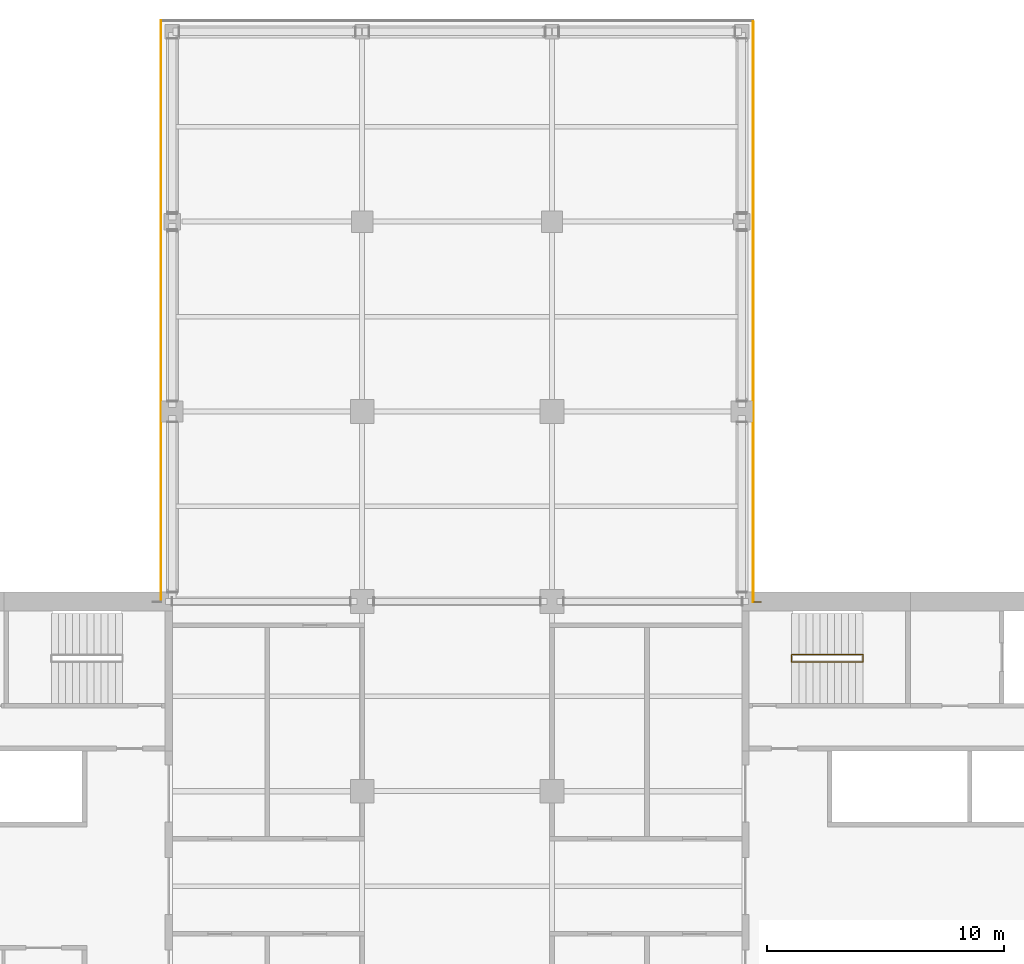
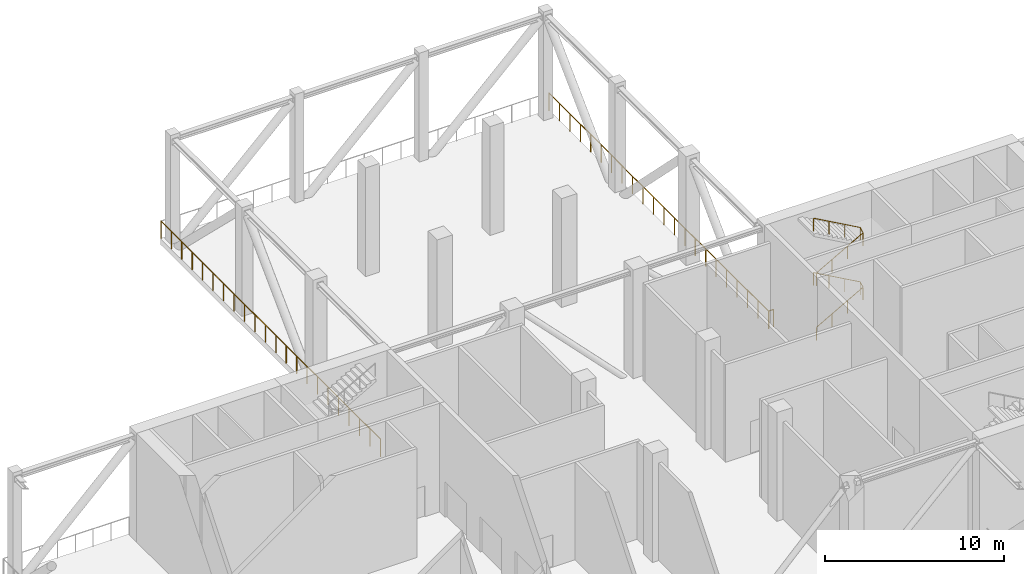
# One storey, part 17 of 18: 4 railings.
"""IFC4 building model written with IfcOpenShell, lengths in metres."""

import ifcopenshell
import ifcopenshell.guid

model = None  # the IFC model being written
_history = None  # IfcOwnerHistory: only IFC2X3 demands one
_inside = {}  # id of a spatial element -> (the spatial element, [elements in it])
_under = {}  # id of a project, library or spatial element -> (it, [spatial elements below it])
_declared = {}  # id of a project -> (the project, [libraries it declares])
_typed = {}  # id of a type object -> (the type object, [elements of that type])
_made_of = {}  # id of a material, layer set ... -> (it, [elements and type objects made of it])


def new_model(schema):
    """Start an empty IFC model of exactly this schema.

    Asked for "IFC4X3", IfcOpenShell would pick the latest addendum, in which some entities
    have other attributes; the version numbers below select the first issue.
    IFC2X3 requires an IfcOwnerHistory on every rooted entity: one is made here for all.
    """
    global model, _history
    if schema == "IFC4X3":
        model = ifcopenshell.file(schema_version=(4, 3, 0, 0))
    else:
        model = ifcopenshell.file(schema=schema)
    _inside.clear()
    _under.clear()
    _declared.clear()
    _typed.clear()
    _made_of.clear()
    _history = None
    if model.schema == "IFC2X3":
        org = make("IfcOrganization", Name="unknown")
        user = make(
            "IfcPersonAndOrganization",
            ThePerson=make("IfcPerson", FamilyName="unknown"),
            TheOrganization=org,
        )
        app = make(
            "IfcApplication",
            ApplicationDeveloper=org,
            Version="unknown",
            ApplicationFullName="unknown",
            ApplicationIdentifier="unknown",
        )
        _history = make(
            "IfcOwnerHistory",
            OwningUser=user,
            OwningApplication=app,
            ChangeAction="ADDED",
            CreationDate=0,
        )
    return model


def make(cls, **values):
    """One entity of the class cls with the attributes given. An attribute that is None is left unset."""
    return model.create_entity(
        cls, **{name: value for name, value in values.items() if value is not None}
    )


def rooted(cls, **values):
    """An entity with a GlobalId (a new one), such as an element, a storey or a relation."""
    return make(cls, GlobalId=ifcopenshell.guid.new(), OwnerHistory=_history, **values)


def si_unit(unit_type, name, prefix=None):
    """IfcSIUnit, for example si_unit("LENGTHUNIT", "METRE", prefix="MILLI")."""
    return make("IfcSIUnit", UnitType=unit_type, Prefix=prefix, Name=name)


def assignment(units):
    """IfcUnitAssignment: the units of a project."""
    return None if units is None else make("IfcUnitAssignment", Units=units)


def point(xyz):
    """IfcCartesianPoint."""
    return None if xyz is None else make("IfcCartesianPoint", Coordinates=xyz)


def direction(xyz):
    """IfcDirection."""
    return None if xyz is None else make("IfcDirection", DirectionRatios=xyz)


def frame(location, z_axis=None, x_axis=None):
    """IfcAxis2Placement3D, a coordinate frame: its origin and axes. An axis left out is left unset."""
    return make(
        "IfcAxis2Placement3D",
        Location=point(location),
        Axis=direction(z_axis),
        RefDirection=direction(x_axis),
    )


def frame_2d(location, x_axis=None):
    """IfcAxis2Placement2D, a coordinate frame in the plane: its origin and x axis."""
    return make(
        "IfcAxis2Placement2D", Location=point(location), RefDirection=direction(x_axis)
    )


def origin():
    """The frame at (0, 0, 0) with its axes left unset."""
    return frame((0.0, 0.0, 0.0))


def origin_2d():
    """The frame at (0, 0) in the plane with its x axis left unset."""
    return frame_2d((0.0, 0.0))


def place(relative_to, where):
    """IfcLocalPlacement: puts the frame where relative to a parent placement (None: the world)."""
    return make(
        "IfcLocalPlacement", PlacementRelTo=relative_to, RelativePlacement=where
    )


def context(
    kind, dimensions, precision=None, world=None, true_north=None, identifier=None
):
    """IfcGeometricRepresentationContext, for example the 3D "Model" context."""
    return make(
        "IfcGeometricRepresentationContext",
        ContextIdentifier=identifier,
        ContextType=kind,
        CoordinateSpaceDimension=dimensions,
        Precision=precision,
        WorldCoordinateSystem=world,
        TrueNorth=true_north,
    )


def subcontext(parent, identifier, kind, view, scale=None):
    """IfcGeometricRepresentationSubContext, for example "Body" below "Model"."""
    return make(
        "IfcGeometricRepresentationSubContext",
        ContextIdentifier=identifier,
        ContextType=kind,
        ParentContext=parent,
        TargetScale=scale,
        TargetView=view,
    )


def project(units=None, contexts=None):
    """IfcProject with its units and contexts."""
    return rooted(
        "IfcProject",
        Name="project",
        RepresentationContexts=contexts,
        UnitsInContext=assignment(units),
    )


def spatial(cls, under=None, at=None, **own):
    """A site, building, storey or space (cls), placed at a placement, below another one or the project."""
    s = rooted(cls, ObjectPlacement=at, **own)
    if under is not None:
        _under.setdefault(under.id(), (under, []))[1].append(s)
    return s


def profile(cls, at=None, kind="AREA", **sizes):
    """A parametric profile (cls). Its sizes go by their IFC names, for example OverallWidth=200.0."""
    return make(cls, ProfileType=kind, Position=at, **sizes)


def circle(**sizes):
    """IfcCircleProfileDef."""
    return profile("IfcCircleProfileDef", **sizes)


def extrude(swept, where, along, depth):
    """IfcExtrudedAreaSolid: the profile swept, set in the frame where, extruded along a direction by depth."""
    return make(
        "IfcExtrudedAreaSolid",
        SweptArea=swept,
        Position=where,
        ExtrudedDirection=direction(along),
        Depth=depth,
    )


def shape(context_of_items, identifier, shape_type, items):
    """IfcShapeRepresentation: the items that make up one representation, for example the "Body"."""
    return make(
        "IfcShapeRepresentation",
        ContextOfItems=context_of_items,
        RepresentationIdentifier=identifier,
        RepresentationType=shape_type,
        Items=items,
    )


def material(Name=None, Category=None):
    """IfcMaterial."""
    return make("IfcMaterial", Name=Name, Category=Category)


def made_of(thing, what):
    """Note that an element or type object is made of a material, layer set ...; save() writes the relation."""
    if what is not None:
        _made_of.setdefault(what.id(), (what, []))[1].append(thing)
    return thing


def type_object(cls, material=None, **own):
    """A type object (cls), such as IfcWallType, which elements share."""
    return made_of(rooted(cls, **own), material)


def element(
    cls,
    number,
    at=None,
    inside=None,
    cuts=None,
    type_object=None,
    material=None,
    context=None,
    identifier="Body",
    shape_type=None,
    held_by="IfcProductDefinitionShape",
    body=None,
    shapes=None,
    **own,
):
    """One element of the class cls, such as IfcWall. Its Tag is "e" and its number.

    at: its placement. inside: the storey or other place that contains it. cuts: it is an
    opening in that element (IfcRelVoidsElement). A single representation is given by context,
    identifier, shape_type and body (its items); several are given by shapes. held_by: the class
    of the entity that holds the representations. save() writes the other relations.
    """
    e = rooted(cls, Tag="e%d" % number, ObjectPlacement=at, **own)
    if body is not None:
        shapes = [shape(context, identifier, shape_type, body)]
    if shapes is not None:
        e.Representation = make(held_by, Representations=shapes)
    if inside is not None:
        _inside.setdefault(inside.id(), (inside, []))[1].append(e)
    if cuts is not None:
        rooted(
            "IfcRelVoidsElement", RelatingBuildingElement=cuts, RelatedOpeningElement=e
        )
    if type_object is not None:
        _typed.setdefault(type_object.id(), (type_object, []))[1].append(e)
    return made_of(e, material)


def aggregate(whole, parts):
    """IfcRelAggregates: a whole, such as a stair, and the parts it consists of."""
    return rooted("IfcRelAggregates", RelatingObject=whole, RelatedObjects=parts)


def save(model, path):
    """Write the relations noted so far, then the file.

    IfcRelAggregates (storeys below a building ...), IfcRelContainedInSpatialStructure (elements
    in a storey), IfcRelDefinesByType, IfcRelAssociatesMaterial and IfcRelDeclares: one each for
    every whole, place, type object, material and project.
    """
    for whole, parts in _under.values():
        aggregate(whole, parts)
    for where, things in _inside.values():
        rooted(
            "IfcRelContainedInSpatialStructure",
            RelatedElements=things,
            RelatingStructure=where,
        )
    for kind, things in _typed.values():
        rooted("IfcRelDefinesByType", RelatedObjects=things, RelatingType=kind)
    for what, things in _made_of.values():
        rooted("IfcRelAssociatesMaterial", RelatedObjects=things, RelatingMaterial=what)
    for by, libraries in _declared.values():
        rooted("IfcRelDeclares", RelatingContext=by, RelatedDefinitions=libraries)
    model.write(path)


model = new_model("IFC4")

# Units and contexts
model_context = context("Model", 3, precision=1e-05, world=origin(), true_north=direction((0.0, 1.0)))
body_context = subcontext(model_context, "Body", "Model", "MODEL_VIEW")
ifc_project = project(units=[si_unit("LENGTHUNIT", "METRE"), si_unit("AREAUNIT", "SQUARE_METRE"), si_unit("VOLUMEUNIT", "CUBIC_METRE"), si_unit("PLANEANGLEUNIT", "RADIAN"), si_unit("MASSUNIT", "GRAM", prefix="KILO")], contexts=[model_context])

# Site, building, storey
site_placement = place(None, origin())
site = spatial("IfcSite", under=ifc_project, at=site_placement, CompositionType="ELEMENT")
building_placement = place(site_placement, origin())
building = spatial("IfcBuilding", under=site, at=building_placement, Name="Crosswind Convention Tower", CompositionType="ELEMENT")
storey_placement = place(building_placement, frame((0.0, 0.0, 105.300048828125)))
storey = spatial("IfcBuildingStorey", under=building, at=storey_placement, Name="L21", CompositionType="ELEMENT", Elevation=105.300048828125)

# Railings
ifc_material_1 = material(Name="Stainless steel", Category="steel")
railing_type_1 = type_object("IfcRailingType", Name="Stair handrail 900", PredefinedType="HANDRAIL", material=ifc_material_1)
railing_1_placement = place(storey_placement, frame((139.10009765625, 109.43994140625, 0.168212890625)))
element("IfcRailing", 1, at=railing_1_placement, inside=storey, type_object=railing_type_1, Name="Stair ST1 handrail L21", PredefinedType="HANDRAIL", context=body_context, shape_type="SweptSolid", body=[
    extrude(circle(Radius=0.02392578125, at=origin_2d()), frame((0.0, 0.0, 0.8759765625), z_axis=(0.872302573547, 0.0, 0.488966481656), x_axis=(0.0, 1.0, 0.0)), (0.0, 0.0, 1.0), 3.439208984375),
    extrude(circle(Radius=0.02392578125, at=origin_2d()), frame((3.0, 0.0, 2.5576171875), z_axis=(0.0, 0.885196349292, 0.465217608438), x_axis=(-1.0, 0.0, 0.0)), (0.0, 0.0, 1.0), 0.361572265625),
    extrude(circle(Radius=0.02392578125, at=origin_2d()), frame((3.0, 0.320068359375, 2.7255859375), z_axis=(-0.872272294576, 0.0, 0.489020494575), x_axis=(0.0, -1.0, 0.0)), (0.0, 0.0, 1.0), 3.439208984375),
    extrude(circle(Radius=0.02392578125, at=origin_2d()), frame((0.0, 0.320068359375, 4.40771484375), z_axis=(0.0, -0.885196349292, 0.465217608438), x_axis=(1.0, 0.0, 0.0)), (0.0, 0.0, 1.0), 0.361572265625),
    extrude(circle(Radius=0.02392578125, at=origin_2d()), frame((0.0, 0.0, 4.57568359375), z_axis=(0.872272294576, 0.0, 0.489020494575), x_axis=(0.0, 1.0, 0.0)), (0.0, 0.0, 1.0), 3.439208984375),
    extrude(circle(Radius=0.02392578125, at=origin_2d()), frame((3.0, 0.0, 6.2578125), z_axis=(0.0, 0.885474334664, 0.464688285468), x_axis=(-1.0, 0.0, 0.0)), (0.0, 0.0, 1.0), 0.361572265625),
    extrude(circle(Radius=0.02392578125, at=origin_2d()), frame((3.0, 0.320068359375, 6.42578125), z_axis=(-0.872272294576, 0.0, 0.489020494575), x_axis=(0.0, -1.0, 0.0)), (0.0, 0.0, 1.0), 3.439208984375),
    extrude(circle(Radius=0.02099609375, at=origin_2d()), origin(), (0.0, 0.0, 1.0), 0.851806640625),
    extrude(circle(Radius=0.02099609375, at=origin_2d()), frame((1.0, 0.0, 0.560546875)), (0.0, 0.0, 1.0), 0.851806640625),
    extrude(circle(Radius=0.02099609375, at=origin_2d()), frame((2.0, 0.0, 1.12109375)), (0.0, 0.0, 1.0), 0.851806640625),
    extrude(circle(Radius=0.02099609375, at=origin_2d()), frame((3.0, 0.0, 1.681640625)), (0.0, 0.0, 1.0), 0.851806640625),
    extrude(circle(Radius=0.02099609375, at=origin_2d()), frame((3.0, 0.320068359375, 1.849853515625)), (0.0, 0.0, 1.0), 0.851806640625),
    extrude(circle(Radius=0.02099609375, at=origin_2d()), frame((2.0, 0.320068359375, 2.410400390625)), (0.0, 0.0, 1.0), 0.851806640625),
    extrude(circle(Radius=0.02099609375, at=origin_2d()), frame((1.0, 0.320068359375, 2.97119140625)), (0.0, 0.0, 1.0), 0.851806640625),
    extrude(circle(Radius=0.02099609375, at=origin_2d()), frame((0.0, 0.320068359375, 3.53173828125)), (0.0, 0.0, 1.0), 0.851806640625),
    extrude(circle(Radius=0.02099609375, at=origin_2d()), frame((0.0, 0.0, 3.699951171875)), (0.0, 0.0, 1.0), 0.851806640625),
    extrude(circle(Radius=0.02099609375, at=origin_2d()), frame((1.0, 0.0, 4.260498046875)), (0.0, 0.0, 1.0), 0.851806640625),
    extrude(circle(Radius=0.02099609375, at=origin_2d()), frame((2.0, 0.0, 4.8212890625)), (0.0, 0.0, 1.0), 0.851806640625),
    extrude(circle(Radius=0.02099609375, at=origin_2d()), frame((3.0, 0.0, 5.3818359375)), (0.0, 0.0, 1.0), 0.851806640625),
    extrude(circle(Radius=0.02099609375, at=origin_2d()), frame((3.0, 0.320068359375, 5.5498046875)), (0.0, 0.0, 1.0), 0.851806640625),
    extrude(circle(Radius=0.02099609375, at=origin_2d()), frame((2.0, 0.320068359375, 6.1103515625)), (0.0, 0.0, 1.0), 0.851806640625),
    extrude(circle(Radius=0.02099609375, at=origin_2d()), frame((1.0, 0.320068359375, 6.671142578125)), (0.0, 0.0, 1.0), 0.851806640625),
    extrude(circle(Radius=0.02099609375, at=origin_2d()), frame((0.0, 0.320068359375, 7.231689453125)), (0.0, 0.0, 1.0), 0.851806640625),
])
ifc_material_2 = material(Name="Stainless steel guard", Category="steel")
railing_type_2 = type_object("IfcRailingType", Name="WIND FLOOR GUARD 1200", PredefinedType="GUARDRAIL", material=ifc_material_2)
railing_2_placement = place(storey_placement, frame((112.52490234375, 112.014892578125, 0.0)))
element("IfcRailing", 2, at=railing_2_placement, inside=storey, type_object=railing_type_2, Name="R12 guard L21 5", PredefinedType="GUARDRAIL", context=body_context, shape_type="SweptSolid", body=[
    extrude(circle(Radius=0.01904296875, at=origin_2d()), frame((0.0, 0.0, 1.180908203125), z_axis=(0.0, 1.0, 0.0), x_axis=(-1.0, 0.0, 0.0)), (0.0, 0.0, 1.0), 24.460205078125),
    extrude(circle(Radius=0.01611328125, at=origin_2d()), origin(), (0.0, 0.0, 1.0), 1.161865234375),
    extrude(circle(Radius=0.01611328125, at=origin_2d()), frame((0.0, 1.164794921875, 0.0)), (0.0, 0.0, 1.0), 1.161865234375),
    extrude(circle(Radius=0.01611328125, at=origin_2d()), frame((0.0, 2.32958984375, 0.0)), (0.0, 0.0, 1.0), 1.161865234375),
    extrude(circle(Radius=0.01611328125, at=origin_2d()), frame((0.0, 3.494384765625, 0.0)), (0.0, 0.0, 1.0), 1.161865234375),
    extrude(circle(Radius=0.01611328125, at=origin_2d()), frame((0.0, 4.6591796875, 0.0)), (0.0, 0.0, 1.0), 1.161865234375),
    extrude(circle(Radius=0.01611328125, at=origin_2d()), frame((0.0, 5.823974609375, 0.0)), (0.0, 0.0, 1.0), 1.161865234375),
    extrude(circle(Radius=0.01611328125, at=origin_2d()), frame((0.0, 6.988525390625, 0.0)), (0.0, 0.0, 1.0), 1.161865234375),
    extrude(circle(Radius=0.01611328125, at=origin_2d()), frame((0.0, 8.1533203125, 0.0)), (0.0, 0.0, 1.0), 1.161865234375),
    extrude(circle(Radius=0.01611328125, at=origin_2d()), frame((0.0, 9.318115234375, 0.0)), (0.0, 0.0, 1.0), 1.161865234375),
    extrude(circle(Radius=0.01611328125, at=origin_2d()), frame((0.0, 10.48291015625, 0.0)), (0.0, 0.0, 1.0), 1.161865234375),
    extrude(circle(Radius=0.01611328125, at=origin_2d()), frame((0.0, 11.647705078125, 0.0)), (0.0, 0.0, 1.0), 1.161865234375),
    extrude(circle(Radius=0.01611328125, at=origin_2d()), frame((0.0, 12.8125, 0.0)), (0.0, 0.0, 1.0), 1.161865234375),
    extrude(circle(Radius=0.01611328125, at=origin_2d()), frame((0.0, 13.977294921875, 0.0)), (0.0, 0.0, 1.0), 1.161865234375),
    extrude(circle(Radius=0.01611328125, at=origin_2d()), frame((0.0, 15.14208984375, 0.0)), (0.0, 0.0, 1.0), 1.161865234375),
    extrude(circle(Radius=0.01611328125, at=origin_2d()), frame((0.0, 16.306884765625, 0.0)), (0.0, 0.0, 1.0), 1.161865234375),
    extrude(circle(Radius=0.01611328125, at=origin_2d()), frame((0.0, 17.4716796875, 0.0)), (0.0, 0.0, 1.0), 1.161865234375),
    extrude(circle(Radius=0.01611328125, at=origin_2d()), frame((0.0, 18.63623046875, 0.0)), (0.0, 0.0, 1.0), 1.161865234375),
    extrude(circle(Radius=0.01611328125, at=origin_2d()), frame((0.0, 19.801025390625, 0.0)), (0.0, 0.0, 1.0), 1.161865234375),
    extrude(circle(Radius=0.01611328125, at=origin_2d()), frame((0.0, 20.9658203125, 0.0)), (0.0, 0.0, 1.0), 1.161865234375),
    extrude(circle(Radius=0.01611328125, at=origin_2d()), frame((0.0, 22.130615234375, 0.0)), (0.0, 0.0, 1.0), 1.161865234375),
    extrude(circle(Radius=0.01611328125, at=origin_2d()), frame((0.0, 23.29541015625, 0.0)), (0.0, 0.0, 1.0), 1.161865234375),
    extrude(circle(Radius=0.01611328125, at=origin_2d()), frame((0.0, 24.460205078125, 0.0)), (0.0, 0.0, 1.0), 1.161865234375),
])
railing_3_placement = place(storey_placement, frame((137.47509765625, 136.43505859375, 0.0)))
element("IfcRailing", 3, at=railing_3_placement, inside=storey, type_object=railing_type_2, Name="R12 guard L21 7", PredefinedType="GUARDRAIL", context=body_context, shape_type="SweptSolid", body=[
    extrude(circle(Radius=0.01904296875, at=origin_2d()), frame((0.0, 0.0, 1.180908203125), z_axis=(0.0, -1.0, 0.0), x_axis=(1.0, 0.0, 0.0)), (0.0, 0.0, 1.0), 24.4599609375),
    extrude(circle(Radius=0.01611328125, at=origin_2d()), origin(), (0.0, 0.0, 1.0), 1.161865234375),
    extrude(circle(Radius=0.01611328125, at=origin_2d()), frame((0.0, -1.164794921875, 0.0)), (0.0, 0.0, 1.0), 1.161865234375),
    extrude(circle(Radius=0.01611328125, at=origin_2d()), frame((0.0, -2.32958984375, 0.0)), (0.0, 0.0, 1.0), 1.161865234375),
    extrude(circle(Radius=0.01611328125, at=origin_2d()), frame((0.0, -3.494384765625, 0.0)), (0.0, 0.0, 1.0), 1.161865234375),
    extrude(circle(Radius=0.01611328125, at=origin_2d()), frame((0.0, -4.658935546875, 0.0)), (0.0, 0.0, 1.0), 1.161865234375),
    extrude(circle(Radius=0.01611328125, at=origin_2d()), frame((0.0, -5.82373046875, 0.0)), (0.0, 0.0, 1.0), 1.161865234375),
    extrude(circle(Radius=0.01611328125, at=origin_2d()), frame((0.0, -6.988525390625, 0.0)), (0.0, 0.0, 1.0), 1.161865234375),
    extrude(circle(Radius=0.01611328125, at=origin_2d()), frame((0.0, -8.1533203125, 0.0)), (0.0, 0.0, 1.0), 1.161865234375),
    extrude(circle(Radius=0.01611328125, at=origin_2d()), frame((0.0, -9.318115234375, 0.0)), (0.0, 0.0, 1.0), 1.161865234375),
    extrude(circle(Radius=0.01611328125, at=origin_2d()), frame((0.0, -10.48291015625, 0.0)), (0.0, 0.0, 1.0), 1.161865234375),
    extrude(circle(Radius=0.01611328125, at=origin_2d()), frame((0.0, -11.647705078125, 0.0)), (0.0, 0.0, 1.0), 1.161865234375),
    extrude(circle(Radius=0.01611328125, at=origin_2d()), frame((0.0, -12.812255859375, 0.0)), (0.0, 0.0, 1.0), 1.161865234375),
    extrude(circle(Radius=0.01611328125, at=origin_2d()), frame((0.0, -13.97705078125, 0.0)), (0.0, 0.0, 1.0), 1.161865234375),
    extrude(circle(Radius=0.01611328125, at=origin_2d()), frame((0.0, -15.141845703125, 0.0)), (0.0, 0.0, 1.0), 1.161865234375),
    extrude(circle(Radius=0.01611328125, at=origin_2d()), frame((0.0, -16.306640625, 0.0)), (0.0, 0.0, 1.0), 1.161865234375),
    extrude(circle(Radius=0.01611328125, at=origin_2d()), frame((0.0, -17.471435546875, 0.0)), (0.0, 0.0, 1.0), 1.161865234375),
    extrude(circle(Radius=0.01611328125, at=origin_2d()), frame((0.0, -18.63623046875, 0.0)), (0.0, 0.0, 1.0), 1.161865234375),
    extrude(circle(Radius=0.01611328125, at=origin_2d()), frame((0.0, -19.801025390625, 0.0)), (0.0, 0.0, 1.0), 1.161865234375),
    extrude(circle(Radius=0.01611328125, at=origin_2d()), frame((0.0, -20.965576171875, 0.0)), (0.0, 0.0, 1.0), 1.161865234375),
    extrude(circle(Radius=0.01611328125, at=origin_2d()), frame((0.0, -22.13037109375, 0.0)), (0.0, 0.0, 1.0), 1.161865234375),
    extrude(circle(Radius=0.01611328125, at=origin_2d()), frame((0.0, -23.295166015625, 0.0)), (0.0, 0.0, 1.0), 1.161865234375),
    extrude(circle(Radius=0.01611328125, at=origin_2d()), frame((0.0, -24.4599609375, 0.0)), (0.0, 0.0, 1.0), 1.161865234375),
])
railing_4_placement = place(storey_placement, frame((137.514892578125, 111.97509765625, 0.0)))
element("IfcRailing", 4, at=railing_4_placement, inside=storey, type_object=railing_type_2, Name="R12 guard L21 8", PredefinedType="GUARDRAIL", context=body_context, shape_type="SweptSolid", body=[
    extrude(circle(Radius=0.01904296875, at=origin_2d()), frame((0.0, 0.0, 1.180908203125), z_axis=(1.0, 0.0, 0.0), x_axis=(0.0, 1.0, 0.0)), (0.0, 0.0, 1.0), 0.28515625),
    extrude(circle(Radius=0.01611328125, at=origin_2d()), origin(), (0.0, 0.0, 1.0), 1.161865234375),
    extrude(circle(Radius=0.01611328125, at=origin_2d()), frame((0.28515625, 0.0, 0.0)), (0.0, 0.0, 1.0), 1.161865234375),
])

save(model, "model.ifc")
